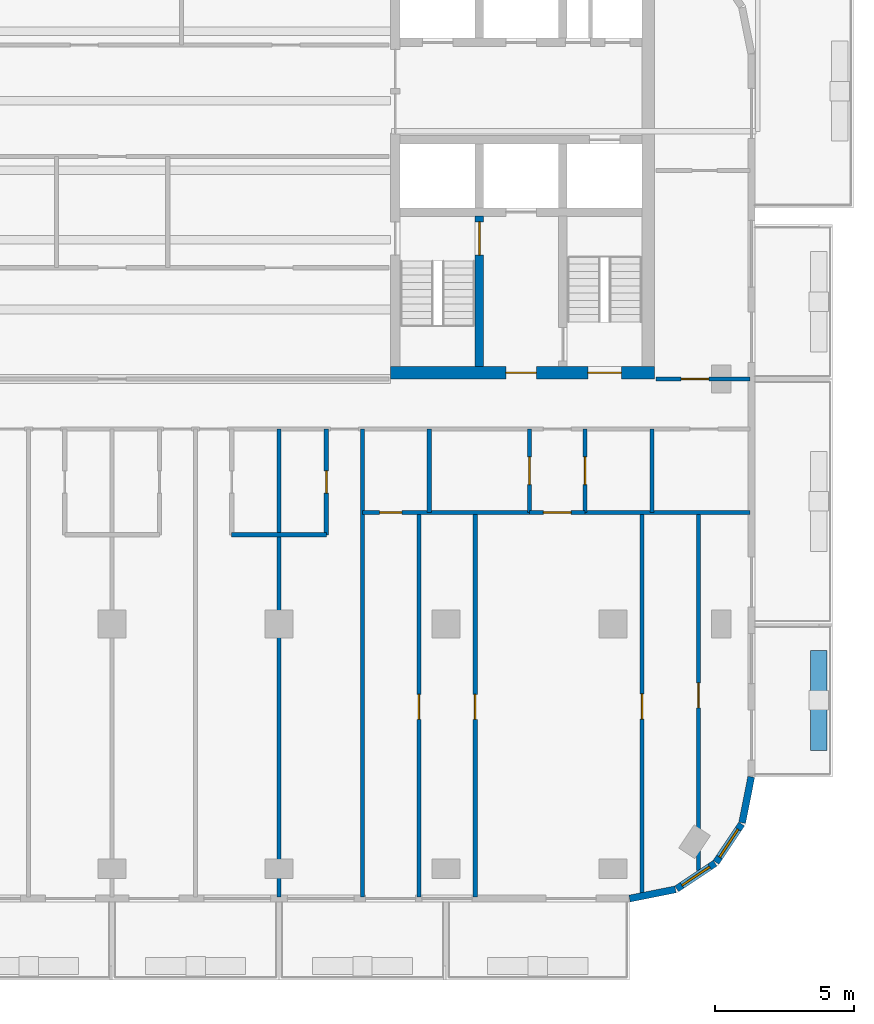
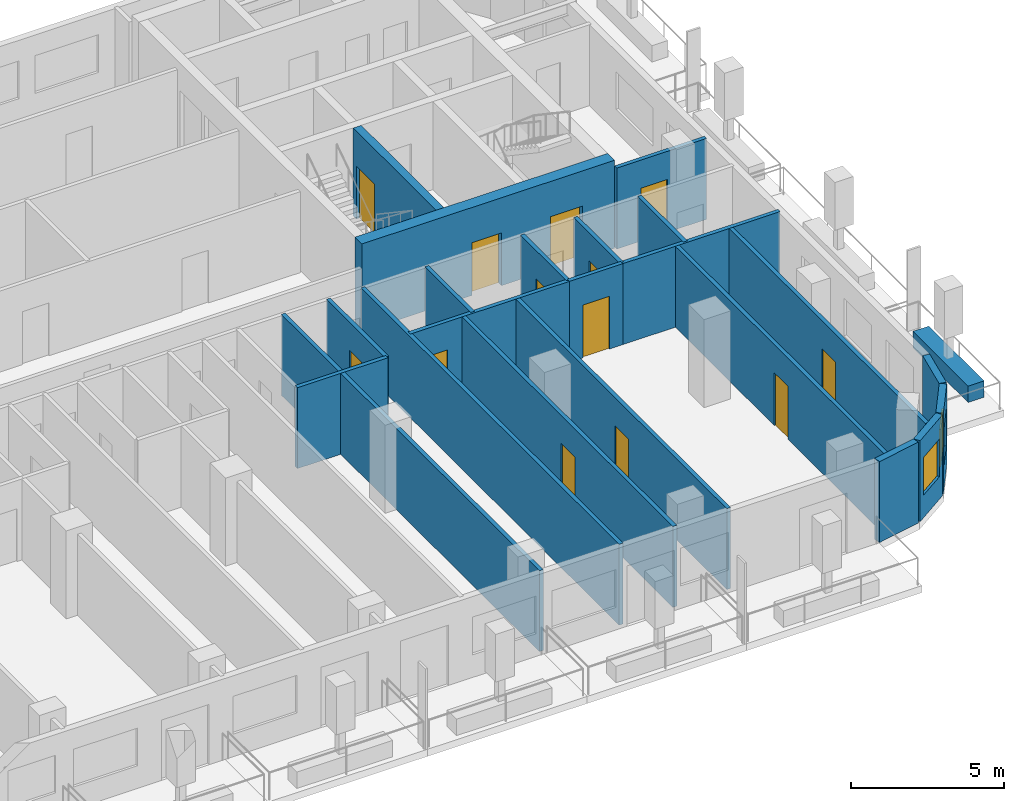
# One storey, part 5 of 11: 23 walls, 13 doors, 2 windows, 15 openings.
"""IFC4 building model written with IfcOpenShell, lengths in metres."""

from ifc_helpers import new_model, si_unit, direction, frame, frame_2d, origin, place, context, subcontext, project, spatial, rectangle, extrude, material, layer, layer_set, type_object, element, fill, save


model = new_model("IFC4")

# Units and contexts
model_context = context("Model", 3, precision=1e-05, world=origin(), true_north=direction((0.0, 1.0)))
body_context = subcontext(model_context, "Body", "Model", "MODEL_VIEW")
ifc_project = project(units=[si_unit("LENGTHUNIT", "METRE"), si_unit("AREAUNIT", "SQUARE_METRE"), si_unit("VOLUMEUNIT", "CUBIC_METRE"), si_unit("PLANEANGLEUNIT", "RADIAN"), si_unit("MASSUNIT", "GRAM", prefix="KILO")], contexts=[model_context])

# Site, building, storey
site_placement = place(None, origin())
site = spatial("IfcSite", under=ifc_project, at=site_placement, CompositionType="ELEMENT")
building_placement = place(site_placement, origin())
building = spatial("IfcBuilding", under=site, at=building_placement, Name="Torana Hotel and Residences", CompositionType="ELEMENT")
storey_placement = place(building_placement, frame((0.0, 0.0, 256.10009765625)))
storey = spatial("IfcBuildingStorey", under=building, at=storey_placement, Name="L67", CompositionType="ELEMENT", Elevation=256.10009765625)

# Wall, opening, door
ifc_material_1 = material(Name="Concrete C60/75", Category="concrete")
ifc_layer_1 = layer(ifc_material_1, 0.300048828125)
ifc_layer_set_1 = layer_set([ifc_layer_1], Name="CORE WALL 300 C60/75")
wall_type_1 = type_object("IfcWallType", Name="CORE WALL 300 C60/75", PredefinedType="SHEAR", material=ifc_layer_set_1)
wall_1_placement = place(storey_placement, frame((13.199951171875, -14.550048828125, 0.0), z_axis=(0.0, 0.0, 1.0), x_axis=(0.0, 1.0, 0.0)))
wall_1 = element("IfcWall", 1, at=wall_1_placement, inside=storey, type_object=wall_type_1, Name="Core wall E x3.05-band", PredefinedType="SHEAR", context=body_context, shape_type="SweptSolid", body=[
    extrude(rectangle(XDim=5.400146484375, YDim=0.300048828125, at=frame_2d((2.7001953125, 0.0))), origin(), (0.0, 0.0, 1.0), 3.5),
])
opening_1_placement = place(wall_1_placement, frame((4.0, 0.0, 0.0)))
opening_1 = element("IfcOpeningElement", 2, at=opening_1_placement, cuts=wall_1, Name="Opening L67-17", PredefinedType="OPENING", context=body_context, shape_type="SweptSolid", body=[
    extrude(rectangle(XDim=1.199951171875, YDim=2.10009765625, at=frame_2d((0.60009765625, 1.050048828125))), frame((0.0, 0.159912109375, 0.0), z_axis=(0.0, -1.0, 0.0), x_axis=(1.0, 0.0, 0.0)), (0.0, 0.0, 1.0), 0.320068359375),
])
ifc_material_2 = material(Name="Steel S235", Category="steel")
door_type_1 = type_object("IfcDoorType", Name="STAIR FIRE DOOR D3 1200x2100", OperationType="SINGLE_SWING_LEFT", PredefinedType="DOOR", material=ifc_material_2)
door_1_placement = place(opening_1_placement, origin())
door_1 = element("IfcDoor", 3, at=door_1_placement, inside=storey, type_object=door_type_1, Name="Stair-A-lobby door L67", OperationType="SINGLE_SWING_LEFT", OverallHeight=2.10009765625, OverallWidth=1.199951171875, PredefinedType="DOOR", context=body_context, shape_type="SweptSolid", body=[
    extrude(rectangle(XDim=1.199951171875, YDim=2.10009765625, at=frame_2d((0.60009765625, 1.050048828125))), frame((0.0, 0.02490234375, 0.0), z_axis=(0.0, -1.0, 0.0), x_axis=(1.0, 0.0, 0.0)), (0.0, 0.0, 1.0), 0.050048828125),
])
fill(opening_1, door_1)

# Wall, openings, doors
ifc_material_3 = material(Name="Concrete C60/75", Category="concrete")
ifc_layer_2 = layer(ifc_material_3, 0.449951171875)
ifc_layer_set_2 = layer_set([ifc_layer_2], Name="CORE WALL 450 C60/75")
wall_type_2 = type_object("IfcWallType", Name="CORE WALL 450 C60/75", PredefinedType="SHEAR", material=ifc_layer_set_2)
wall_2_placement = place(storey_placement, frame((10.0, -14.77490234375, 0.0), z_axis=(0.0, 0.0, 1.0), x_axis=(1.0, 0.0, 0.0)))
wall_2 = element("IfcWall", 4, at=wall_2_placement, inside=storey, type_object=wall_type_2, Name="Core wall E front", PredefinedType="SHEAR", context=body_context, shape_type="SweptSolid", body=[
    extrude(rectangle(XDim=9.5, YDim=0.449951171875, at=frame_2d((4.75, 0.0))), origin(), (0.0, 0.0, 1.0), 3.5),
])
opening_2_placement = place(wall_2_placement, frame((7.10009765625, 0.0, 0.0)))
opening_2 = element("IfcOpeningElement", 5, at=opening_2_placement, cuts=wall_2, Name="Opening L67-13", PredefinedType="OPENING", context=body_context, shape_type="SweptSolid", body=[
    extrude(rectangle(XDim=1.199951171875, YDim=2.10009765625, at=frame_2d((0.60009765625, 1.050048828125))), frame((0.0, 0.23486328125, 0.0), z_axis=(0.0, -1.0, 0.0), x_axis=(1.0, 0.0, 0.0)), (0.0, 0.0, 1.0), 0.469970703125),
])
opening_3_placement = place(wall_2_placement, frame((4.14990234375, 0.0, 0.0)))
opening_3 = element("IfcOpeningElement", 6, at=opening_3_placement, cuts=wall_2, Name="Opening L67-14", PredefinedType="OPENING", context=body_context, shape_type="SweptSolid", body=[
    extrude(rectangle(XDim=1.10009765625, YDim=2.10009765625, at=frame_2d((0.550048828125, 1.050048828125))), frame((0.0, 0.23486328125, 0.0), z_axis=(0.0, -1.0, 0.0), x_axis=(1.0, 0.0, 0.0)), (0.0, 0.0, 1.0), 0.469970703125),
])
ifc_material_4 = material(Name="Steel S235", Category="steel")
door_type_2 = type_object("IfcDoorType", Name="FIRE-FIGHTING LOBBY DOOR D8 1100x2100", OperationType="SINGLE_SWING_LEFT", PredefinedType="DOOR", material=ifc_material_4)
door_2_placement = place(opening_3_placement, origin())
door_2 = element("IfcDoor", 7, at=door_2_placement, inside=storey, type_object=door_type_2, Name="FF-lobby door L67", OperationType="SINGLE_SWING_RIGHT", OverallHeight=2.10009765625, OverallWidth=1.10009765625, PredefinedType="DOOR", context=body_context, shape_type="SweptSolid", body=[
    extrude(rectangle(XDim=1.10009765625, YDim=2.10009765625, at=frame_2d((0.550048828125, 1.050048828125))), frame((0.0, 0.02490234375, 0.0), z_axis=(0.0, -1.0, 0.0), x_axis=(1.0, 0.0, 0.0)), (0.0, 0.0, 1.0), 0.050048828125),
])
fill(opening_3, door_2)
door_3_placement = place(opening_2_placement, origin())
door_3 = element("IfcDoor", 8, at=door_3_placement, inside=storey, type_object=door_type_1, Name="Stair-B door L67", OperationType="SINGLE_SWING_RIGHT", OverallHeight=2.10009765625, OverallWidth=1.199951171875, PredefinedType="DOOR", context=body_context, shape_type="SweptSolid", body=[
    extrude(rectangle(XDim=1.199951171875, YDim=2.10009765625, at=frame_2d((0.60009765625, 1.050048828125))), frame((0.0, 0.02490234375, 0.0), z_axis=(0.0, -1.0, 0.0), x_axis=(1.0, 0.0, 0.0)), (0.0, 0.0, 1.0), 0.050048828125),
])
fill(opening_2, door_3)

# Wall
ifc_material_5 = material(Name="Black aluminium composite panel", Category="aluminium")
ifc_layer_3 = layer(ifc_material_5, 0.00390625, Name="Cladding", Category="cladding")
ifc_material_6 = material(Name="Ventilated air cavity")
ifc_layer_4 = layer(ifc_material_6, 0.0400390625, Name="Ventilated cavity", Category="cavity")
ifc_material_7 = material(Name="Mineral wool insulation")
ifc_layer_5 = layer(ifc_material_7, 0.090087890625, Name="Insulation", Category="insulation")
ifc_material_8 = material(Name="Steel S280GD", Category="steel")
ifc_layer_6 = layer(ifc_material_8, 0.092041015625, Name="Steel stud frame", Category="structure")
ifc_material_9 = material(Name="Fire rated plasterboard")
ifc_layer_7 = layer(ifc_material_9, 0.011962890625, Name="Inner board", Category="finish")
ifc_layer_8 = layer(ifc_material_9, 0.011962890625, Name="Second board", Category="finish")
ifc_layer_set_3 = layer_set([ifc_layer_3, ifc_layer_4, ifc_layer_5, ifc_layer_6, ifc_layer_7, ifc_layer_8], Name="EW1 EXTERNAL WALL BLACK METAL CLAD 250")
wall_type_3 = type_object("IfcWallType", Name="EW1 EXTERNAL WALL BLACK METAL CLAD 250", PredefinedType="SOLIDWALL", material=ifc_layer_set_3)
wall_3_placement = place(storey_placement, frame((18.599853515625, -33.672607421875, 0.0), z_axis=(0.0, 0.0, 1.0), x_axis=(0.980770110232, 0.195166572128, 0.0)))
element("IfcWall", 9, at=wall_3_placement, inside=storey, type_object=wall_type_3, Name="External wall L67 e0.15", PredefinedType="SOLIDWALL", context=body_context, shape_type="SweptSolid", body=[
    extrude(rectangle(XDim=1.68115234375, YDim=0.25, at=frame_2d((0.840576171875, 0.0))), origin(), (0.0, 0.0, 1.0), 3.219970703125),
])

# Wall, opening, window
wall_4_placement = place(storey_placement, frame((20.2939453125, -33.325927734375, 0.0), z_axis=(0.0, 0.0, 1.0), x_axis=(0.831482937015, 0.55555029066, 0.0)))
wall_4 = element("IfcWall", 10, at=wall_4_placement, inside=storey, type_object=wall_type_3, Name="External wall L67 e0.16", PredefinedType="SOLIDWALL", context=body_context, shape_type="SweptSolid", body=[
    extrude(rectangle(XDim=1.65625, YDim=0.25, at=frame_2d((0.828125, 0.0))), origin(), (0.0, 0.0, 1.0), 3.219970703125),
])
opening_4_placement = place(wall_4_placement, frame((0.228271484375, 0.0, 0.89990234375)))
opening_4 = element("IfcOpeningElement", 11, at=opening_4_placement, cuts=wall_4, Name="Opening W5", PredefinedType="OPENING", context=body_context, shape_type="SweptSolid", body=[
    extrude(rectangle(XDim=1.199951171875, YDim=1.5, at=frame_2d((0.60009765625, 0.75))), frame((0.0, 0.135009765625, 0.0), z_axis=(0.0, -1.0, 0.0), x_axis=(1.0, 0.0, 0.0)), (0.0, 0.0, 1.0), 0.27001953125),
])
ifc_material_10 = material(Name="Dark glass in black aluminium frame", Category="aluminium")
window_type = type_object("IfcWindowType", Name="W5 CORNER FACET WINDOW 1200x1500", PartitioningType="SINGLE_PANEL", PredefinedType="WINDOW", material=ifc_material_10)
window_1_placement = place(opening_4_placement, origin())
window_1 = element("IfcWindow", 12, at=window_1_placement, inside=storey, type_object=window_type, Name="Window L67 e0.16", OverallHeight=1.5, OverallWidth=1.199951171875, PartitioningType="SINGLE_PANEL", PredefinedType="WINDOW", context=body_context, shape_type="SweptSolid", body=[
    extrude(rectangle(XDim=1.199951171875, YDim=1.5, at=frame_2d((0.60009765625, 0.75))), frame((0.0, 0.030029296875, 0.0), z_axis=(0.0, -1.0, 0.0), x_axis=(1.0, 0.0, 0.0)), (0.0, 0.0, 1.0), 0.06005859375),
])
fill(opening_4, window_1)

wall_5_placement = place(storey_placement, frame((21.705810546875, -32.37109375, 0.0), z_axis=(0.0, 0.0, 1.0), x_axis=(0.55555029066, 0.831482937015, 0.0)))
wall_5 = element("IfcWall", 13, at=wall_5_placement, inside=storey, type_object=wall_type_3, Name="External wall L67 e0.17", PredefinedType="SOLIDWALL", context=body_context, shape_type="SweptSolid", body=[
    extrude(rectangle(XDim=1.65625, YDim=0.25, at=frame_2d((0.828125, 0.0))), origin(), (0.0, 0.0, 1.0), 3.219970703125),
])
opening_5_placement = place(wall_5_placement, frame((0.228271484375, 0.0, 0.89990234375)))
opening_5 = element("IfcOpeningElement", 14, at=opening_5_placement, cuts=wall_5, Name="Opening W5", PredefinedType="OPENING", context=body_context, shape_type="SweptSolid", body=[
    extrude(rectangle(XDim=1.199951171875, YDim=1.5, at=frame_2d((0.60009765625, 0.75))), frame((0.0, 0.135009765625, 0.0), z_axis=(0.0, -1.0, 0.0), x_axis=(1.0, 0.0, 0.0)), (0.0, 0.0, 1.0), 0.27001953125),
])
window_2_placement = place(opening_5_placement, origin())
window_2 = element("IfcWindow", 15, at=window_2_placement, inside=storey, type_object=window_type, Name="Window L67 e0.17", OverallHeight=1.5, OverallWidth=1.199951171875, PartitioningType="SINGLE_PANEL", PredefinedType="WINDOW", context=body_context, shape_type="SweptSolid", body=[
    extrude(rectangle(XDim=1.199951171875, YDim=1.5, at=frame_2d((0.60009765625, 0.75))), frame((0.0, 0.030029296875, 0.0), z_axis=(0.0, -1.0, 0.0), x_axis=(1.0, 0.0, 0.0)), (0.0, 0.0, 1.0), 0.06005859375),
])
fill(opening_5, window_2)

# Wall
wall_6_placement = place(storey_placement, frame((22.64453125, -30.948974609375, 0.0), z_axis=(0.0, 0.0, 1.0), x_axis=(0.19513878023, 0.980775640221, 0.0)))
element("IfcWall", 16, at=wall_6_placement, inside=storey, type_object=wall_type_3, Name="External wall L67 e0.18", PredefinedType="SOLIDWALL", context=body_context, shape_type="SweptSolid", body=[
    extrude(rectangle(XDim=1.681396484375, YDim=0.25, at=frame_2d((0.8408203125, 0.0))), origin(), (0.0, 0.0, 1.0), 3.219970703125),
])

# Wall, opening, door
ifc_material_11 = material(Name="Gypsum plaster")
ifc_layer_9 = layer(ifc_material_11, 0.014892578125, Name="Plaster", Category="finish")
ifc_material_12 = material(Name="Concrete blockwork", Category="masonry")
ifc_layer_10 = layer(ifc_material_12, 0.1201171875, Name="Blockwork", Category="structure")
ifc_layer_11 = layer(ifc_material_11, 0.014892578125, Name="Plaster", Category="finish")
ifc_layer_set_4 = layer_set([ifc_layer_9, ifc_layer_10, ifc_layer_11], Name="FIRE PARTITION 150 BLOCKWORK")
wall_type_4 = type_object("IfcWallType", Name="FIRE PARTITION 150 BLOCKWORK", PredefinedType="PARTITIONING", material=ifc_layer_set_4)
wall_7_placement = place(storey_placement, frame((17.0, -19.800048828125, 0.0), z_axis=(0.0, 0.0, 1.0), x_axis=(0.0, 1.0, 0.0)))
wall_7 = element("IfcWall", 17, at=wall_7_placement, inside=storey, type_object=wall_type_4, Name="Partition L67", PredefinedType="PARTITIONING", context=body_context, shape_type="SweptSolid", body=[
    extrude(rectangle(XDim=3.0, YDim=0.14990234375, at=frame_2d((1.5, 0.0))), origin(), (0.0, 0.0, 1.0), 3.219970703125),
])
opening_6_placement = place(wall_7_placement, frame((1.0, 0.0, 0.0)))
opening_6 = element("IfcOpeningElement", 18, at=opening_6_placement, cuts=wall_7, Name="Opening L67-55", PredefinedType="OPENING", context=body_context, shape_type="SweptSolid", body=[
    extrude(rectangle(XDim=1.0, YDim=2.10009765625, at=frame_2d((0.5, 1.050048828125))), frame((0.0, 0.0849609375, 0.0), z_axis=(0.0, -1.0, 0.0), x_axis=(1.0, 0.0, 0.0)), (0.0, 0.0, 1.0), 0.169921875),
])
ifc_material_13 = material(Name="Steel S235", Category="steel")
door_type_3 = type_object("IfcDoorType", Name="ENTRY FIRE DOOR D6 1000x2100", OperationType="SINGLE_SWING_LEFT", PredefinedType="DOOR", material=ifc_material_13)
door_4_placement = place(opening_6_placement, frame((0.5, 0.0, 0.0), z_axis=(0.0, 0.0, 1.0), x_axis=(-1.0, 0.0, 0.0)))
door_4 = element("IfcDoor", 19, at=door_4_placement, inside=storey, type_object=door_type_3, Name="Door L67", OperationType="SINGLE_SWING_LEFT", OverallHeight=2.10009765625, OverallWidth=1.0, PredefinedType="DOOR", context=body_context, shape_type="SweptSolid", body=[
    extrude(rectangle(XDim=1.0, YDim=2.10009765625, at=frame_2d((0.0, 1.050048828125))), frame((0.0, -0.02490234375, 0.0), z_axis=(0.0, 1.0, 0.0), x_axis=(-1.0, 0.0, 0.0)), (0.0, 0.0, 1.0), 0.050048828125),
])
fill(opening_6, door_4)

wall_8_placement = place(storey_placement, frame((15.0, -19.800048828125, 0.0), z_axis=(0.0, 0.0, 1.0), x_axis=(0.0, 1.0, 0.0)))
wall_8 = element("IfcWall", 20, at=wall_8_placement, inside=storey, type_object=wall_type_4, Name="Partition L67", PredefinedType="PARTITIONING", context=body_context, shape_type="SweptSolid", body=[
    extrude(rectangle(XDim=3.0, YDim=0.14990234375, at=frame_2d((1.5, 0.0))), origin(), (0.0, 0.0, 1.0), 3.219970703125),
])
opening_7_placement = place(wall_8_placement, frame((1.0, 0.0, 0.0)))
opening_7 = element("IfcOpeningElement", 21, at=opening_7_placement, cuts=wall_8, Name="Opening L67-54", PredefinedType="OPENING", context=body_context, shape_type="SweptSolid", body=[
    extrude(rectangle(XDim=1.0, YDim=2.10009765625, at=frame_2d((0.5, 1.050048828125))), frame((0.0, 0.0849609375, 0.0), z_axis=(0.0, -1.0, 0.0), x_axis=(1.0, 0.0, 0.0)), (0.0, 0.0, 1.0), 0.169921875),
])
door_5_placement = place(opening_7_placement, origin())
door_5 = element("IfcDoor", 22, at=door_5_placement, inside=storey, type_object=door_type_3, Name="Door L67", OperationType="SINGLE_SWING_RIGHT", OverallHeight=2.10009765625, OverallWidth=1.0, PredefinedType="DOOR", context=body_context, shape_type="SweptSolid", body=[
    extrude(rectangle(XDim=1.0, YDim=2.10009765625, at=frame_2d((0.5, 1.050048828125))), frame((0.0, 0.02490234375, 0.0), z_axis=(0.0, -1.0, 0.0), x_axis=(1.0, 0.0, 0.0)), (0.0, 0.0, 1.0), 0.050048828125),
])
fill(opening_7, door_5)

wall_9_placement = place(storey_placement, frame((15.0, -19.800048828125, 0.0), z_axis=(0.0, 0.0, 1.0), x_axis=(1.0, 0.0, 0.0)))
wall_9 = element("IfcWall", 23, at=wall_9_placement, inside=storey, type_object=wall_type_4, Name="Partition L67", PredefinedType="PARTITIONING", context=body_context, shape_type="SweptSolid", body=[
    extrude(rectangle(XDim=2.0, YDim=0.14990234375, at=frame_2d((1.0, 0.0))), origin(), (0.0, 0.0, 1.0), 3.219970703125),
])
opening_8_placement = place(wall_9_placement, frame((0.5, 0.0, 0.0)))
opening_8 = element("IfcOpeningElement", 24, at=opening_8_placement, cuts=wall_9, Name="Opening L67-56", PredefinedType="OPENING", context=body_context, shape_type="SweptSolid", body=[
    extrude(rectangle(XDim=1.0, YDim=2.10009765625, at=frame_2d((0.5, 1.050048828125))), frame((0.0, 0.0849609375, 0.0), z_axis=(0.0, -1.0, 0.0), x_axis=(1.0, 0.0, 0.0)), (0.0, 0.0, 1.0), 0.169921875),
])
door_6_placement = place(opening_8_placement, frame((0.5, 0.0, 0.0), z_axis=(0.0, 0.0, 1.0), x_axis=(-1.0, 0.0, 0.0)))
door_6 = element("IfcDoor", 25, at=door_6_placement, inside=storey, type_object=door_type_3, Name="Door L67", OperationType="SINGLE_SWING_LEFT", OverallHeight=2.10009765625, OverallWidth=1.0, PredefinedType="DOOR", context=body_context, shape_type="SweptSolid", body=[
    extrude(rectangle(XDim=1.0, YDim=2.10009765625, at=frame_2d((0.0, 1.050048828125))), frame((0.0, -0.02490234375, 0.0), z_axis=(0.0, 1.0, 0.0), x_axis=(-1.0, 0.0, 0.0)), (0.0, 0.0, 1.0), 0.050048828125),
])
fill(opening_8, door_6)

wall_10_placement = place(storey_placement, frame((19.550048828125, -15.0, 0.0), z_axis=(0.0, 0.0, 1.0), x_axis=(1.0, 0.0, 0.0)))
wall_10 = element("IfcWall", 26, at=wall_10_placement, inside=storey, type_object=wall_type_4, Name="Partition L67", PredefinedType="PARTITIONING", context=body_context, shape_type="SweptSolid", body=[
    extrude(rectangle(XDim=3.369873046875, YDim=0.14990234375, at=frame_2d((1.68505859375, 0.0))), origin(), (0.0, 0.0, 1.0), 3.219970703125),
])
opening_9_placement = place(wall_10_placement, frame((0.89990234375, 0.0, 0.0)))
opening_9 = element("IfcOpeningElement", 27, at=opening_9_placement, cuts=wall_10, Name="Opening L67-30", PredefinedType="OPENING", context=body_context, shape_type="SweptSolid", body=[
    extrude(rectangle(XDim=1.0, YDim=2.10009765625, at=frame_2d((0.5, 1.050048828125))), frame((0.0, 0.0849609375, 0.0), z_axis=(0.0, -1.0, 0.0), x_axis=(1.0, 0.0, 0.0)), (0.0, 0.0, 1.0), 0.169921875),
])
ifc_material_14 = material(Name="Steel S235", Category="steel")
door_type_4 = type_object("IfcDoorType", Name="CORE ROOM FIRE DOOR D14 1000x2100", OperationType="SINGLE_SWING_LEFT", PredefinedType="DOOR", material=ifc_material_14)
door_7_placement = place(opening_9_placement, origin())
door_7 = element("IfcDoor", 28, at=door_7_placement, inside=storey, type_object=door_type_4, Name="Door L67", OperationType="SINGLE_SWING_LEFT", OverallHeight=2.10009765625, OverallWidth=1.0, PredefinedType="DOOR", context=body_context, shape_type="SweptSolid", body=[
    extrude(rectangle(XDim=1.0, YDim=2.10009765625, at=frame_2d((0.5, 1.050048828125))), frame((0.0, 0.02490234375, 0.0), z_axis=(0.0, -1.0, 0.0), x_axis=(1.0, 0.0, 0.0)), (0.0, 0.0, 1.0), 0.050048828125),
])
fill(opening_9, door_7)

ifc_material_15 = material(Name="Gypsum plasterboard")
ifc_layer_12 = layer(ifc_material_15, 0.012451171875, Name="Plasterboard", Category="finish")
ifc_layer_13 = layer(ifc_material_15, 0.012451171875, Name="Plasterboard", Category="finish")
ifc_layer_14 = layer(ifc_material_8, 0.10009765625, Name="Steel studs with mineral wool", Category="insulation")
ifc_layer_15 = layer(ifc_material_15, 0.012451171875, Name="Plasterboard", Category="finish")
ifc_layer_16 = layer(ifc_material_15, 0.012451171875, Name="Plasterboard", Category="finish")
ifc_layer_set_5 = layer_set([ifc_layer_12, ifc_layer_13, ifc_layer_14, ifc_layer_15, ifc_layer_16], Name="PARTITION 150 PLASTERBOARD")
wall_type_5 = type_object("IfcWallType", Name="PARTITION 150 PLASTERBOARD", PredefinedType="PARTITIONING", material=ifc_layer_set_5)
wall_11_placement = place(storey_placement, frame((21.074951171875, -32.665771484375, 0.0), z_axis=(0.0, 0.0, 1.0), x_axis=(0.0, 1.0, 0.0)))
wall_11 = element("IfcWall", 29, at=wall_11_placement, inside=storey, type_object=wall_type_5, Name="Partition L67", PredefinedType="PARTITIONING", context=body_context, shape_type="SweptSolid", body=[
    extrude(rectangle(XDim=12.86572265625, YDim=0.14990234375, at=frame_2d((6.432861328125, 0.0))), origin(), (0.0, 0.0, 1.0), 3.219970703125),
])
opening_10_placement = place(wall_11_placement, frame((5.845703125, 0.0, 0.0)))
opening_10 = element("IfcOpeningElement", 30, at=opening_10_placement, cuts=wall_11, Name="Opening L67-60", PredefinedType="OPENING", context=body_context, shape_type="SweptSolid", body=[
    extrude(rectangle(XDim=0.89990234375, YDim=2.10009765625, at=frame_2d((0.449951171875, 1.050048828125))), frame((0.0, 0.0849609375, 0.0), z_axis=(0.0, -1.0, 0.0), x_axis=(1.0, 0.0, 0.0)), (0.0, 0.0, 1.0), 0.169921875),
])
ifc_material_16 = material(Name="Timber door, oiled ash", Category="wood")
door_type_5 = type_object("IfcDoorType", Name="ROOM DOOR D7 900x2100", OperationType="SINGLE_SWING_LEFT", PredefinedType="DOOR", material=ifc_material_16)
door_8_placement = place(opening_10_placement, origin())
door_8 = element("IfcDoor", 31, at=door_8_placement, inside=storey, type_object=door_type_5, Name="Door L67", OperationType="SINGLE_SWING_RIGHT", OverallHeight=2.10009765625, OverallWidth=0.89990234375, PredefinedType="DOOR", context=body_context, shape_type="SweptSolid", body=[
    extrude(rectangle(XDim=0.89990234375, YDim=2.10009765625, at=frame_2d((0.449951171875, 1.050048828125))), frame((0.0, 0.02490234375, 0.0), z_axis=(0.0, -1.0, 0.0), x_axis=(1.0, 0.0, 0.0)), (0.0, 0.0, 1.0), 0.050048828125),
])
fill(opening_10, door_8)

# Wall
wall_12_placement = place(storey_placement, frame((19.39990234375, -19.800048828125, 0.0), z_axis=(0.0, 0.0, 1.0), x_axis=(0.0, 1.0, 0.0)))
element("IfcWall", 32, at=wall_12_placement, inside=storey, type_object=wall_type_5, Name="Partition L67", PredefinedType="PARTITIONING", context=body_context, shape_type="SweptSolid", body=[
    extrude(rectangle(XDim=3.0, YDim=0.14990234375, at=frame_2d((1.5, 0.0))), origin(), (0.0, 0.0, 1.0), 3.219970703125),
])

# Wall, opening, door
wall_13_placement = place(storey_placement, frame((19.050048828125, -33.527099609375, 0.0), z_axis=(0.0, 0.0, 1.0), x_axis=(0.0, 1.0, 0.0)))
wall_13 = element("IfcWall", 33, at=wall_13_placement, inside=storey, type_object=wall_type_5, Name="Partition L67", PredefinedType="PARTITIONING", context=body_context, shape_type="SweptSolid", body=[
    extrude(rectangle(XDim=13.72705078125, YDim=0.14990234375, at=frame_2d((6.863525390625, 0.0))), origin(), (0.0, 0.0, 1.0), 3.219970703125),
])
opening_11_placement = place(wall_13_placement, frame((6.306884765625, 0.0, 0.0)))
opening_11 = element("IfcOpeningElement", 34, at=opening_11_placement, cuts=wall_13, Name="Opening L67-58", PredefinedType="OPENING", context=body_context, shape_type="SweptSolid", body=[
    extrude(rectangle(XDim=0.89990234375, YDim=2.10009765625, at=frame_2d((0.449951171875, 1.050048828125))), frame((0.0, 0.0849609375, 0.0), z_axis=(0.0, -1.0, 0.0), x_axis=(1.0, 0.0, 0.0)), (0.0, 0.0, 1.0), 0.169921875),
])
door_9_placement = place(opening_11_placement, origin())
door_9 = element("IfcDoor", 35, at=door_9_placement, inside=storey, type_object=door_type_5, Name="Door L67", OperationType="SINGLE_SWING_RIGHT", OverallHeight=2.10009765625, OverallWidth=0.89990234375, PredefinedType="DOOR", context=body_context, shape_type="SweptSolid", body=[
    extrude(rectangle(XDim=0.89990234375, YDim=2.10009765625, at=frame_2d((0.449951171875, 1.050048828125))), frame((0.0, 0.02490234375, 0.0), z_axis=(0.0, -1.0, 0.0), x_axis=(1.0, 0.0, 0.0)), (0.0, 0.0, 1.0), 0.050048828125),
])
fill(opening_11, door_9)

wall_14_placement = place(storey_placement, frame((13.050048828125, -33.6201171875, 0.0), z_axis=(0.0, 0.0, 1.0), x_axis=(0.0, 1.0, 0.0)))
wall_14 = element("IfcWall", 36, at=wall_14_placement, inside=storey, type_object=wall_type_5, Name="Partition L67", PredefinedType="PARTITIONING", context=body_context, shape_type="SweptSolid", body=[
    extrude(rectangle(XDim=13.820068359375, YDim=0.14990234375, at=frame_2d((6.91015625, 0.0))), origin(), (0.0, 0.0, 1.0), 3.219970703125),
])
opening_12_placement = place(wall_14_placement, frame((6.389892578125, 0.0, 0.0)))
opening_12 = element("IfcOpeningElement", 37, at=opening_12_placement, cuts=wall_14, Name="Opening L67-57", PredefinedType="OPENING", context=body_context, shape_type="SweptSolid", body=[
    extrude(rectangle(XDim=0.89990234375, YDim=2.10009765625, at=frame_2d((0.449951171875, 1.050048828125))), frame((0.0, 0.0849609375, 0.0), z_axis=(0.0, -1.0, 0.0), x_axis=(1.0, 0.0, 0.0)), (0.0, 0.0, 1.0), 0.169921875),
])
door_10_placement = place(opening_12_placement, origin())
door_10 = element("IfcDoor", 38, at=door_10_placement, inside=storey, type_object=door_type_5, Name="Door L67", OperationType="SINGLE_SWING_RIGHT", OverallHeight=2.10009765625, OverallWidth=0.89990234375, PredefinedType="DOOR", context=body_context, shape_type="SweptSolid", body=[
    extrude(rectangle(XDim=0.89990234375, YDim=2.10009765625, at=frame_2d((0.449951171875, 1.050048828125))), frame((0.0, 0.02490234375, 0.0), z_axis=(0.0, -1.0, 0.0), x_axis=(1.0, 0.0, 0.0)), (0.0, 0.0, 1.0), 0.050048828125),
])
fill(opening_12, door_10)

# Wall
wall_15_placement = place(storey_placement, frame((11.39990234375, -19.800048828125, 0.0), z_axis=(0.0, 0.0, 1.0), x_axis=(0.0, 1.0, 0.0)))
element("IfcWall", 39, at=wall_15_placement, inside=storey, type_object=wall_type_5, Name="Partition L67", PredefinedType="PARTITIONING", context=body_context, shape_type="SweptSolid", body=[
    extrude(rectangle(XDim=3.0, YDim=0.14990234375, at=frame_2d((1.5, 0.0))), origin(), (0.0, 0.0, 1.0), 3.219970703125),
])

# Wall, opening, door
wall_16_placement = place(storey_placement, frame((11.02490234375, -33.6201171875, 0.0), z_axis=(0.0, 0.0, 1.0), x_axis=(0.0, 1.0, 0.0)))
wall_16 = element("IfcWall", 40, at=wall_16_placement, inside=storey, type_object=wall_type_5, Name="Partition L67", PredefinedType="PARTITIONING", context=body_context, shape_type="SweptSolid", body=[
    extrude(rectangle(XDim=13.820068359375, YDim=0.14990234375, at=frame_2d((6.91015625, 0.0))), origin(), (0.0, 0.0, 1.0), 3.219970703125),
])
opening_13_placement = place(wall_16_placement, frame((6.389892578125, 0.0, 0.0)))
opening_13 = element("IfcOpeningElement", 41, at=opening_13_placement, cuts=wall_16, Name="Opening L67-59", PredefinedType="OPENING", context=body_context, shape_type="SweptSolid", body=[
    extrude(rectangle(XDim=0.89990234375, YDim=2.10009765625, at=frame_2d((0.449951171875, 1.050048828125))), frame((0.0, 0.0849609375, 0.0), z_axis=(0.0, -1.0, 0.0), x_axis=(1.0, 0.0, 0.0)), (0.0, 0.0, 1.0), 0.169921875),
])
door_11_placement = place(opening_13_placement, origin())
door_11 = element("IfcDoor", 42, at=door_11_placement, inside=storey, type_object=door_type_5, Name="Door L67", OperationType="SINGLE_SWING_RIGHT", OverallHeight=2.10009765625, OverallWidth=0.89990234375, PredefinedType="DOOR", context=body_context, shape_type="SweptSolid", body=[
    extrude(rectangle(XDim=0.89990234375, YDim=2.10009765625, at=frame_2d((0.449951171875, 1.050048828125))), frame((0.0, 0.02490234375, 0.0), z_axis=(0.0, -1.0, 0.0), x_axis=(1.0, 0.0, 0.0)), (0.0, 0.0, 1.0), 0.050048828125),
])
fill(opening_13, door_11)

# Wall
wall_17_placement = place(storey_placement, frame((9.0, -33.6201171875, 0.0), z_axis=(0.0, 0.0, 1.0), x_axis=(0.0, 1.0, 0.0)))
element("IfcWall", 43, at=wall_17_placement, inside=storey, type_object=wall_type_5, Name="Partition L67", PredefinedType="PARTITIONING", context=body_context, shape_type="SweptSolid", body=[
    extrude(rectangle(XDim=16.820068359375, YDim=0.14990234375, at=frame_2d((8.41015625, 0.0))), origin(), (0.0, 0.0, 1.0), 3.219970703125),
])

# Wall, opening, door
wall_18_placement = place(storey_placement, frame((7.699951171875, -20.60009765625, 0.0), z_axis=(0.0, 0.0, 1.0), x_axis=(0.0, 1.0, 0.0)))
wall_18 = element("IfcWall", 44, at=wall_18_placement, inside=storey, type_object=wall_type_5, Name="Partition L67", PredefinedType="PARTITIONING", context=body_context, shape_type="SweptSolid", body=[
    extrude(rectangle(XDim=3.800048828125, YDim=0.14990234375, at=frame_2d((1.89990234375, 0.0))), origin(), (0.0, 0.0, 1.0), 3.219970703125),
])
opening_14_placement = place(wall_18_placement, frame((1.5, 0.0, 0.0)))
opening_14 = element("IfcOpeningElement", 45, at=opening_14_placement, cuts=wall_18, Name="Opening L67-46", PredefinedType="OPENING", context=body_context, shape_type="SweptSolid", body=[
    extrude(rectangle(XDim=0.800048828125, YDim=2.10009765625, at=frame_2d((0.39990234375, 1.050048828125))), frame((0.0, 0.0849609375, 0.0), z_axis=(0.0, -1.0, 0.0), x_axis=(1.0, 0.0, 0.0)), (0.0, 0.0, 1.0), 0.169921875),
])
ifc_material_17 = material(Name="Timber door, painted", Category="wood")
door_type_6 = type_object("IfcDoorType", Name="BATH DOOR D13 800x2100", OperationType="SINGLE_SWING_LEFT", PredefinedType="DOOR", material=ifc_material_17)
door_12_placement = place(opening_14_placement, origin())
door_12 = element("IfcDoor", 46, at=door_12_placement, inside=storey, type_object=door_type_6, Name="Door L67", OperationType="SINGLE_SWING_RIGHT", OverallHeight=2.10009765625, OverallWidth=0.800048828125, PredefinedType="DOOR", context=body_context, shape_type="SweptSolid", body=[
    extrude(rectangle(XDim=0.800048828125, YDim=2.10009765625, at=frame_2d((0.39990234375, 1.050048828125))), frame((0.0, 0.02490234375, 0.0), z_axis=(0.0, -1.0, 0.0), x_axis=(1.0, 0.0, 0.0)), (0.0, 0.0, 1.0), 0.050048828125),
])
fill(opening_14, door_12)

# Walls
wall_19_placement = place(storey_placement, frame((6.0, -33.6201171875, 0.0), z_axis=(0.0, 0.0, 1.0), x_axis=(0.0, 1.0, 0.0)))
element("IfcWall", 47, at=wall_19_placement, inside=storey, type_object=wall_type_5, Name="Partition L67", PredefinedType="PARTITIONING", context=body_context, shape_type="SweptSolid", body=[
    extrude(rectangle(XDim=16.820068359375, YDim=0.14990234375, at=frame_2d((8.41015625, 0.0))), origin(), (0.0, 0.0, 1.0), 3.219970703125),
])
wall_20_placement = place(storey_placement, frame((4.300048828125, -20.60009765625, 0.0), z_axis=(0.0, 0.0, 1.0), x_axis=(1.0, 0.0, 0.0)))
element("IfcWall", 48, at=wall_20_placement, inside=storey, type_object=wall_type_5, Name="Partition L67", PredefinedType="PARTITIONING", context=body_context, shape_type="SweptSolid", body=[
    extrude(rectangle(XDim=3.39990234375, YDim=0.14990234375, at=frame_2d((1.699951171875, 0.0))), origin(), (0.0, 0.0, 1.0), 3.219970703125),
])

# Wall, opening, door
wall_21_placement = place(storey_placement, frame((9.0, -19.800048828125, 0.0), z_axis=(0.0, 0.0, 1.0), x_axis=(1.0, 0.0, 0.0)))
wall_21 = element("IfcWall", 49, at=wall_21_placement, inside=storey, type_object=wall_type_5, Name="Partition L67", PredefinedType="PARTITIONING", context=body_context, shape_type="SweptSolid", body=[
    extrude(rectangle(XDim=6.0, YDim=0.14990234375, at=frame_2d((3.0, 0.0))), origin(), (0.0, 0.0, 1.0), 3.219970703125),
])
opening_15_placement = place(wall_21_placement, frame((0.612060546875, 0.0, 0.0)))
opening_15 = element("IfcOpeningElement", 50, at=opening_15_placement, cuts=wall_21, Name="Opening L67-53", PredefinedType="OPENING", context=body_context, shape_type="SweptSolid", body=[
    extrude(rectangle(XDim=0.800048828125, YDim=2.10009765625, at=frame_2d((0.39990234375, 1.050048828125))), frame((0.0, 0.0849609375, 0.0), z_axis=(0.0, -1.0, 0.0), x_axis=(1.0, 0.0, 0.0)), (0.0, 0.0, 1.0), 0.169921875),
])
door_13_placement = place(opening_15_placement, origin())
door_13 = element("IfcDoor", 51, at=door_13_placement, inside=storey, type_object=door_type_6, Name="Door L67", OperationType="SINGLE_SWING_RIGHT", OverallHeight=2.10009765625, OverallWidth=0.800048828125, PredefinedType="DOOR", context=body_context, shape_type="SweptSolid", body=[
    extrude(rectangle(XDim=0.800048828125, YDim=2.10009765625, at=frame_2d((0.39990234375, 1.050048828125))), frame((0.0, 0.02490234375, 0.0), z_axis=(0.0, -1.0, 0.0), x_axis=(1.0, 0.0, 0.0)), (0.0, 0.0, 1.0), 0.050048828125),
])
fill(opening_15, door_13)

# Walls
wall_22_placement = place(storey_placement, frame((17.0, -19.800048828125, 0.0), z_axis=(0.0, 0.0, 1.0), x_axis=(1.0, 0.0, 0.0)))
element("IfcWall", 52, at=wall_22_placement, inside=storey, type_object=wall_type_5, Name="Partition L67", PredefinedType="PARTITIONING", context=body_context, shape_type="SweptSolid", body=[
    extrude(rectangle(XDim=5.919921875, YDim=0.14990234375, at=frame_2d((2.9599609375, 0.0))), origin(), (0.0, 0.0, 1.0), 3.219970703125),
])
ifc_material_18 = material(Name="Concrete C40/50 precast", Category="concrete")
ifc_layer_17 = layer(ifc_material_18, 0.10009765625, Name="Planter shell", Category="structure")
ifc_material_19 = material(Name="Root resistant membrane")
ifc_layer_18 = layer(ifc_material_19, 0.00390625, Name="Waterproofing membrane", Category="membrane")
ifc_material_20 = material(Name="Drainage board with filter fleece")
ifc_layer_19 = layer(ifc_material_20, 0.02001953125, Name="Drainage board", Category="drainage")
ifc_material_21 = material(Name="Growing medium")
ifc_layer_20 = layer(ifc_material_21, 0.47607421875, Name="Planting substrate", Category="soil")
ifc_layer_set_6 = layer_set([ifc_layer_17, ifc_layer_18, ifc_layer_19, ifc_layer_20], Name="PL1 BALCONY PLANTER 600")
wall_type_6 = type_object("IfcWallType", Name="PL1 BALCONY PLANTER 600", PredefinedType="USERDEFINED", material=ifc_layer_set_6)
wall_23_placement = place(storey_placement, frame((25.39990234375, -24.75, 0.0), z_axis=(0.0, 0.0, 1.0), x_axis=(0.0, -1.0, 0.0)))
element("IfcWall", 53, at=wall_23_placement, inside=storey, type_object=wall_type_6, Name="Planter 11", ObjectType="PLANTER", PredefinedType="USERDEFINED", context=body_context, shape_type="SweptSolid", body=[
    extrude(rectangle(XDim=3.60009765625, YDim=0.60009765625, at=frame_2d((1.800048828125, 0.0))), origin(), (0.0, 0.0, 1.0), 0.64990234375),
])

save(model, "model.ifc")
